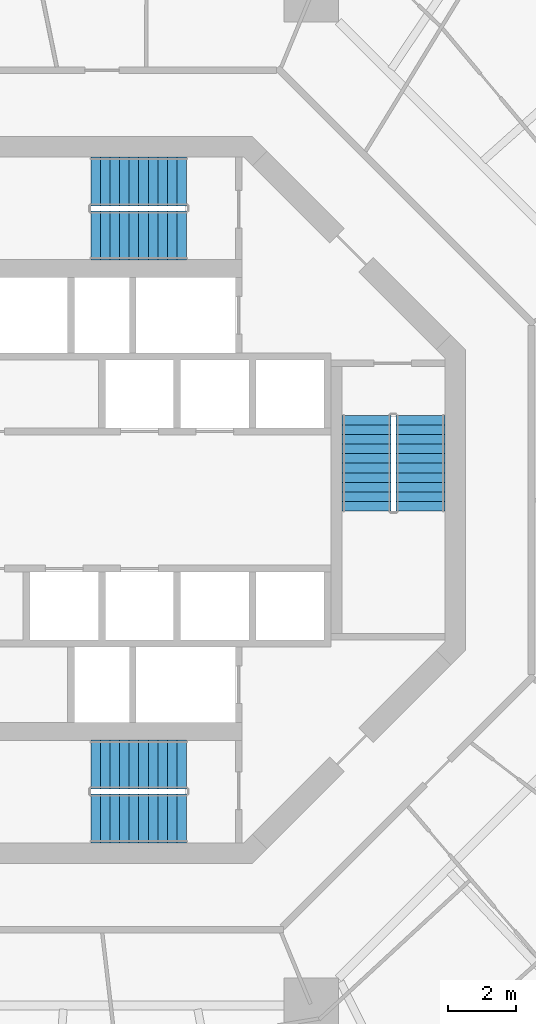
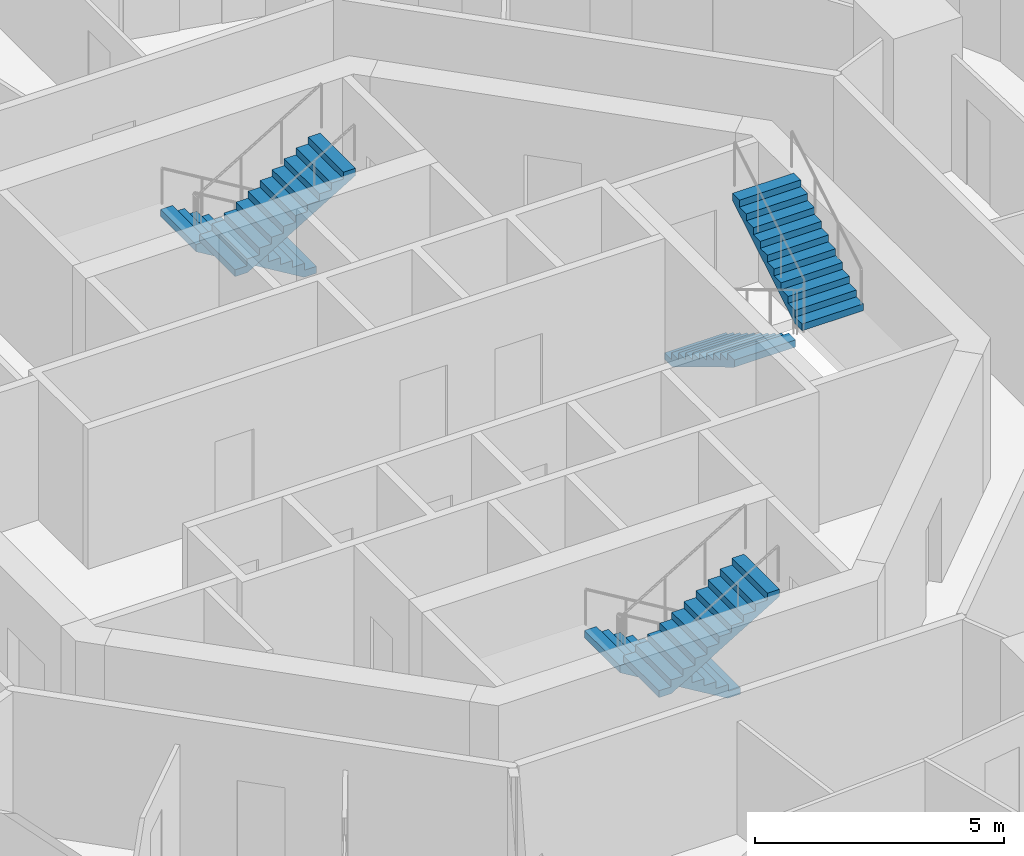
# One storey, part 15 of 18: 6 stair flights, 3 elements without a shape of their own.
"""IFC4 building model written with IfcOpenShell, lengths in metres."""

from ifc_helpers import new_model, si_unit, direction, frame, origin, place, context, subcontext, project, spatial, polyline, outline, extrude, material, type_object, element, aggregate, save


model = new_model("IFC4")

# Units and contexts
model_context = context("Model", 3, precision=1e-05, world=origin(), true_north=direction((0.0, 1.0)))
body_context = subcontext(model_context, "Body", "Model", "MODEL_VIEW")
ifc_project = project(units=[si_unit("LENGTHUNIT", "METRE"), si_unit("AREAUNIT", "SQUARE_METRE"), si_unit("VOLUMEUNIT", "CUBIC_METRE"), si_unit("PLANEANGLEUNIT", "RADIAN"), si_unit("MASSUNIT", "GRAM", prefix="KILO")], contexts=[model_context])

# Site, building, storey
site_placement = place(None, origin())
site = spatial("IfcSite", under=ifc_project, at=site_placement, CompositionType="ELEMENT")
building_placement = place(site_placement, origin())
building = spatial("IfcBuilding", under=site, at=building_placement, Name="Nagisa Residences", CompositionType="ELEMENT")
storey_placement = place(building_placement, frame((0.0, 0.0, 238.10009765625)))
storey = spatial("IfcBuildingStorey", under=building, at=storey_placement, Name="L60", CompositionType="ELEMENT", Elevation=238.10009765625)

# Stair, stair flights
ifc_material_1 = material(Name="Concrete C60", Category="concrete")
stair_type = type_object("IfcStairType", Name="Exit stair", PredefinedType="HALF_TURN_STAIR", material=ifc_material_1)
stair_1_placement = place(storey_placement, origin())
stair_1 = element("IfcStair", 1, at=stair_1_placement, inside=storey, type_object=stair_type, Name="L60 Exit stair E", PredefinedType="HALF_TURN_STAIR")
ifc_material_2 = material(Name="Concrete C60", Category="concrete")
stair_flight_type = type_object("IfcStairFlightType", Name="Exit stair flight", PredefinedType="STRAIGHT", material=ifc_material_2)
stair_flight_1_placement = place(storey_placement, frame((7.737060546875, 2.47509765625, 0.0), z_axis=(0.0, 0.0, 1.0), x_axis=(0.0, -1.0, 0.0)))
stair_flight_1 = element("IfcStairFlight", 2, at=stair_flight_1_placement, type_object=stair_flight_type, Name="ST-E flight 1", NumberOfRisers=11, NumberOfTreads=10, PredefinedType="STRAIGHT", RiserHeight=0.168181818, TreadLength=0.28, context=body_context, shape_type="SweptSolid", body=[
    extrude(outline(polyline([(0.0, 0.0), (0.0, 0.168212890625), (0.280029296875, 0.168212890625), (0.280029296875, 0.33642578125), (0.56005859375, 0.33642578125), (0.56005859375, 0.504638671875), (0.840087890625, 0.504638671875), (0.840087890625, 0.672607421875), (1.1201171875, 0.672607421875), (1.1201171875, 0.8408203125), (1.39990234375, 0.8408203125), (1.39990234375, 1.009033203125), (1.679931640625, 1.009033203125), (1.679931640625, 1.17724609375), (1.9599609375, 1.17724609375), (1.9599609375, 1.345458984375), (2.239990234375, 1.345458984375), (2.239990234375, 1.513671875), (2.52001953125, 1.513671875), (2.52001953125, 1.681884765625), (2.800048828125, 1.681884765625), (2.800048828125, 1.85009765625), (2.800048828125, 1.5068359375), (0.291015625, 0.0), (0.0, 0.0)])), frame((0.0, 0.71240234375, 0.0), z_axis=(0.0, -1.0, 0.0), x_axis=(1.0, 0.0, 0.0)), (0.0, 0.0, 1.0), 1.425048828125),
])
stair_flight_2_placement = place(storey_placement, frame((9.31201171875, -0.324951171875, 1.849853515625), z_axis=(0.0, 0.0, 1.0), x_axis=(0.0, 1.0, 0.0)))
stair_flight_2 = element("IfcStairFlight", 3, at=stair_flight_2_placement, type_object=stair_flight_type, Name="ST-E flight 2", NumberOfRisers=11, NumberOfTreads=10, PredefinedType="STRAIGHT", RiserHeight=0.168181818, TreadLength=0.28, context=body_context, shape_type="SweptSolid", body=[
    extrude(outline(polyline([(0.0, 0.0), (0.0, 0.168212890625), (0.280029296875, 0.168212890625), (0.280029296875, 0.33642578125), (0.56005859375, 0.33642578125), (0.56005859375, 0.504638671875), (0.840087890625, 0.504638671875), (0.840087890625, 0.672607421875), (1.1201171875, 0.672607421875), (1.1201171875, 0.8408203125), (1.39990234375, 0.8408203125), (1.39990234375, 1.009033203125), (1.679931640625, 1.009033203125), (1.679931640625, 1.17724609375), (1.9599609375, 1.17724609375), (1.9599609375, 1.345458984375), (2.239990234375, 1.345458984375), (2.239990234375, 1.513671875), (2.52001953125, 1.513671875), (2.52001953125, 1.681884765625), (2.800048828125, 1.681884765625), (2.800048828125, 1.85009765625), (2.800048828125, 1.5068359375), (0.291015625, 0.0), (0.0, 0.0)])), frame((0.0, 0.71240234375, 0.0), z_axis=(0.0, -1.0, 0.0), x_axis=(1.0, 0.0, 0.0)), (0.0, 0.0, 1.0), 1.425048828125),
])
aggregate(stair_1, [stair_flight_1, stair_flight_2])

stair_2_placement = place(storey_placement, origin())
stair_2 = element("IfcStair", 4, at=stair_2_placement, inside=storey, type_object=stair_type, Name="L60 Exit stair N", PredefinedType="HALF_TURN_STAIR")
stair_flight_3_placement = place(storey_placement, frame((2.47509765625, 9.31201171875, 0.0), z_axis=(0.0, 0.0, 1.0), x_axis=(-1.0, 0.0, 0.0)))
stair_flight_3 = element("IfcStairFlight", 5, at=stair_flight_3_placement, type_object=stair_flight_type, Name="ST-N flight 1", NumberOfRisers=11, NumberOfTreads=10, PredefinedType="STRAIGHT", RiserHeight=0.168181818, TreadLength=0.28, context=body_context, shape_type="SweptSolid", body=[
    extrude(outline(polyline([(0.0, 0.0), (0.0, 0.168212890625), (0.280029296875, 0.168212890625), (0.280029296875, 0.33642578125), (0.56005859375, 0.33642578125), (0.56005859375, 0.504638671875), (0.840087890625, 0.504638671875), (0.840087890625, 0.672607421875), (1.1201171875, 0.672607421875), (1.1201171875, 0.8408203125), (1.39990234375, 0.8408203125), (1.39990234375, 1.009033203125), (1.679931640625, 1.009033203125), (1.679931640625, 1.17724609375), (1.9599609375, 1.17724609375), (1.9599609375, 1.345458984375), (2.239990234375, 1.345458984375), (2.239990234375, 1.513671875), (2.52001953125, 1.513671875), (2.52001953125, 1.681884765625), (2.800048828125, 1.681884765625), (2.800048828125, 1.85009765625), (2.800048828125, 1.5068359375), (0.291015625, 0.0), (0.0, 0.0)])), frame((0.0, 0.71240234375, 0.0), z_axis=(0.0, -1.0, 0.0), x_axis=(1.0, 0.0, 0.0)), (0.0, 0.0, 1.0), 1.425048828125),
])
stair_flight_4_placement = place(storey_placement, frame((-0.324951171875, 7.737060546875, 1.849853515625), z_axis=(0.0, 0.0, 1.0), x_axis=(1.0, 0.0, 0.0)))
stair_flight_4 = element("IfcStairFlight", 6, at=stair_flight_4_placement, type_object=stair_flight_type, Name="ST-N flight 2", NumberOfRisers=11, NumberOfTreads=10, PredefinedType="STRAIGHT", RiserHeight=0.168181818, TreadLength=0.28, context=body_context, shape_type="SweptSolid", body=[
    extrude(outline(polyline([(0.0, 0.0), (0.0, 0.168212890625), (0.280029296875, 0.168212890625), (0.280029296875, 0.33642578125), (0.56005859375, 0.33642578125), (0.56005859375, 0.504638671875), (0.840087890625, 0.504638671875), (0.840087890625, 0.672607421875), (1.1201171875, 0.672607421875), (1.1201171875, 0.8408203125), (1.39990234375, 0.8408203125), (1.39990234375, 1.009033203125), (1.679931640625, 1.009033203125), (1.679931640625, 1.17724609375), (1.9599609375, 1.17724609375), (1.9599609375, 1.345458984375), (2.239990234375, 1.345458984375), (2.239990234375, 1.513671875), (2.52001953125, 1.513671875), (2.52001953125, 1.681884765625), (2.800048828125, 1.681884765625), (2.800048828125, 1.85009765625), (2.800048828125, 1.5068359375), (0.291015625, 0.0), (0.0, 0.0)])), frame((0.0, 0.71240234375, 0.0), z_axis=(0.0, -1.0, 0.0), x_axis=(1.0, 0.0, 0.0)), (0.0, 0.0, 1.0), 1.425048828125),
])
aggregate(stair_2, [stair_flight_3, stair_flight_4])

stair_3_placement = place(storey_placement, origin())
stair_3 = element("IfcStair", 7, at=stair_3_placement, inside=storey, type_object=stair_type, Name="L60 Exit stair S", PredefinedType="HALF_TURN_STAIR")
stair_flight_5_placement = place(storey_placement, frame((2.47509765625, -7.737060546875, 0.0), z_axis=(0.0, 0.0, 1.0), x_axis=(-1.0, 0.0, 0.0)))
stair_flight_5 = element("IfcStairFlight", 8, at=stair_flight_5_placement, type_object=stair_flight_type, Name="ST-S flight 1", NumberOfRisers=11, NumberOfTreads=10, PredefinedType="STRAIGHT", RiserHeight=0.168181818, TreadLength=0.28, context=body_context, shape_type="SweptSolid", body=[
    extrude(outline(polyline([(0.0, 0.0), (0.0, 0.168212890625), (0.280029296875, 0.168212890625), (0.280029296875, 0.33642578125), (0.56005859375, 0.33642578125), (0.56005859375, 0.504638671875), (0.840087890625, 0.504638671875), (0.840087890625, 0.672607421875), (1.1201171875, 0.672607421875), (1.1201171875, 0.8408203125), (1.39990234375, 0.8408203125), (1.39990234375, 1.009033203125), (1.679931640625, 1.009033203125), (1.679931640625, 1.17724609375), (1.9599609375, 1.17724609375), (1.9599609375, 1.345458984375), (2.239990234375, 1.345458984375), (2.239990234375, 1.513671875), (2.52001953125, 1.513671875), (2.52001953125, 1.681884765625), (2.800048828125, 1.681884765625), (2.800048828125, 1.85009765625), (2.800048828125, 1.5068359375), (0.291015625, 0.0), (0.0, 0.0)])), frame((0.0, 0.71240234375, 0.0), z_axis=(0.0, -1.0, 0.0), x_axis=(1.0, 0.0, 0.0)), (0.0, 0.0, 1.0), 1.425048828125),
])
stair_flight_6_placement = place(storey_placement, frame((-0.324951171875, -9.31201171875, 1.849853515625), z_axis=(0.0, 0.0, 1.0), x_axis=(1.0, 0.0, 0.0)))
stair_flight_6 = element("IfcStairFlight", 9, at=stair_flight_6_placement, type_object=stair_flight_type, Name="ST-S flight 2", NumberOfRisers=11, NumberOfTreads=10, PredefinedType="STRAIGHT", RiserHeight=0.168181818, TreadLength=0.28, context=body_context, shape_type="SweptSolid", body=[
    extrude(outline(polyline([(0.0, 0.0), (0.0, 0.168212890625), (0.280029296875, 0.168212890625), (0.280029296875, 0.33642578125), (0.56005859375, 0.33642578125), (0.56005859375, 0.504638671875), (0.840087890625, 0.504638671875), (0.840087890625, 0.672607421875), (1.1201171875, 0.672607421875), (1.1201171875, 0.8408203125), (1.39990234375, 0.8408203125), (1.39990234375, 1.009033203125), (1.679931640625, 1.009033203125), (1.679931640625, 1.17724609375), (1.9599609375, 1.17724609375), (1.9599609375, 1.345458984375), (2.239990234375, 1.345458984375), (2.239990234375, 1.513671875), (2.52001953125, 1.513671875), (2.52001953125, 1.681884765625), (2.800048828125, 1.681884765625), (2.800048828125, 1.85009765625), (2.800048828125, 1.5068359375), (0.291015625, 0.0), (0.0, 0.0)])), frame((0.0, 0.71240234375, 0.0), z_axis=(0.0, -1.0, 0.0), x_axis=(1.0, 0.0, 0.0)), (0.0, 0.0, 1.0), 1.425048828125),
])
aggregate(stair_3, [stair_flight_5, stair_flight_6])

save(model, "model.ifc")
